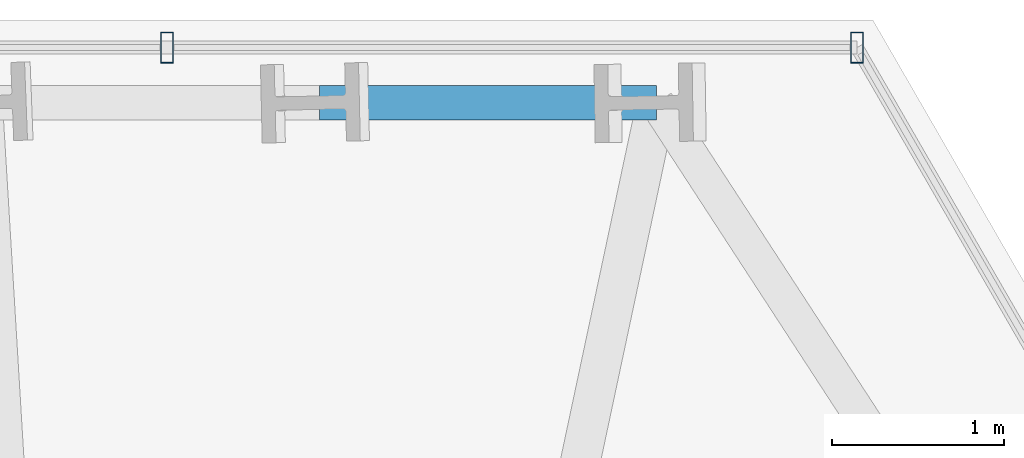
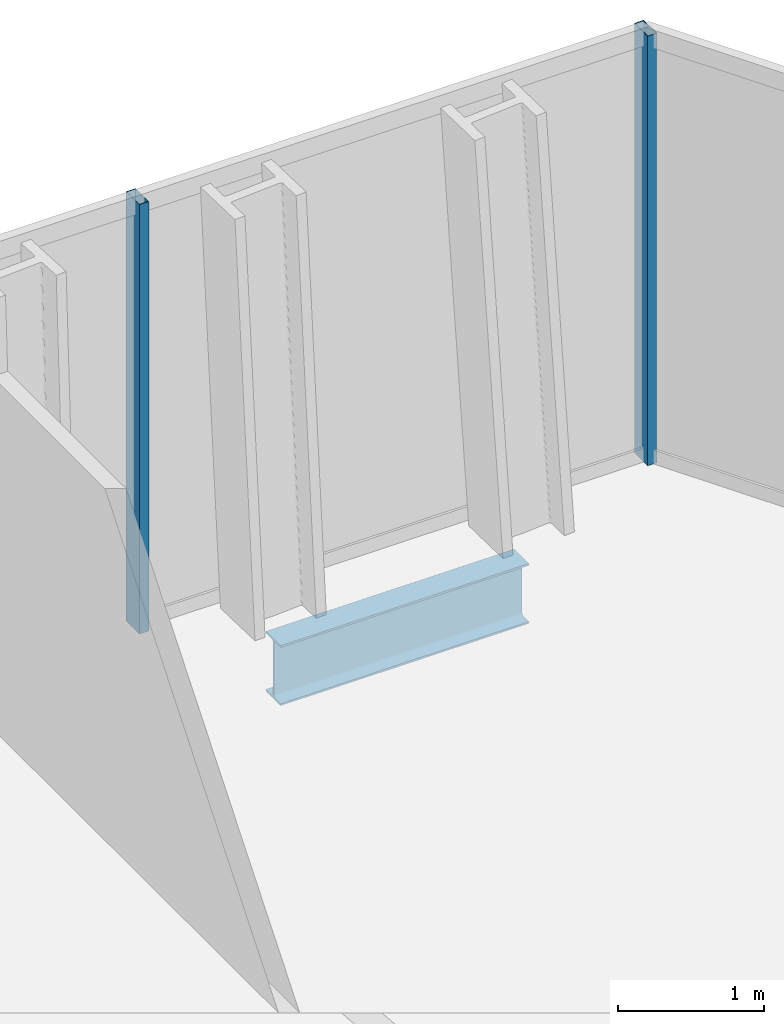
# One storey, part 24 of 32: 2 members, 1 beam, 1 element without a shape of its own.
"""IFC4 building model written with IfcOpenShell, lengths in metres."""

from ifc_helpers import new_model, si_unit, direction, frame, origin, origin_2d, place, context, subcontext, project, spatial, hollow_rectangle, i_section, extrude, material, layer, layer_set, material_profile, profile_set, type_object, element, aggregate, save


model = new_model("IFC4")

# Units and contexts
model_context = context("Model", 3, precision=1e-05, world=origin(), true_north=direction((0.0, 1.0)))
body_context = subcontext(model_context, "Body", "Model", "MODEL_VIEW")
ifc_project = project(units=[si_unit("LENGTHUNIT", "METRE"), si_unit("AREAUNIT", "SQUARE_METRE"), si_unit("VOLUMEUNIT", "CUBIC_METRE"), si_unit("PLANEANGLEUNIT", "RADIAN"), si_unit("MASSUNIT", "GRAM", prefix="KILO")], contexts=[model_context])

# Site, building, storey
site_placement = place(None, origin())
site = spatial("IfcSite", under=ifc_project, at=site_placement, CompositionType="ELEMENT")
building_placement = place(site_placement, origin())
building = spatial("IfcBuilding", under=site, at=building_placement, Name="Ndaravel Arena Tower", CompositionType="ELEMENT")
storey_placement = place(building_placement, frame((0.0, 0.0, 55.0)))
storey = spatial("IfcBuildingStorey", under=building, at=storey_placement, Name="L11", CompositionType="ELEMENT", Elevation=55.0)

# Beam
ifc_material_1 = material(Name="Steel S355", Category="steel")
ifc_material_profile_1 = material_profile(ifc_material_1, i_section(OverallWidth=0.199951171875, OverallDepth=0.5, WebThickness=0.01025390625, FlangeThickness=0.01611328125, FilletRadius=0.02099609375, at=origin_2d()), Name="IPE 500")
ifc_profile_set_1 = profile_set([ifc_material_profile_1], Name="Steel S355")
beam_type = type_object("IfcBeamType", Name="BM-SPAN-IPE500", PredefinedType="SPANDREL", material=ifc_profile_set_1)
beam_placement = place(storey_placement, frame((48.85009765625, 45.531494140625, -0.469970703125), z_axis=(-1.0, 0.0, 0.0), x_axis=(0.0, -1.0, 0.0)))
element("IfcBeam", 1, at=beam_placement, inside=storey, type_object=beam_type, Name="L11 Perimeter Spandrel Beam SP-11", PredefinedType="SPANDREL", context=body_context, shape_type="SweptSolid", body=[
    extrude(i_section(OverallWidth=0.199951171875, OverallDepth=0.5, WebThickness=0.01025390625, FlangeThickness=0.01611328125, FilletRadius=0.02099609375, at=origin_2d()), origin(), (0.0, 0.0, 1.0), 1.957275390625),
])

# Curtain wall, members
ifc_material_2 = material(Name="Aluminium", Category="aluminium")
ifc_layer = layer(ifc_material_2, 0.179931640625)
ifc_layer_set = layer_set([ifc_layer], Name="Aluminium")
curtain_wall_type = type_object("IfcCurtainWallType", Name="CW-SYS-01", PredefinedType="NOTDEFINED", material=ifc_layer_set)
curtain_wall_placement = place(storey_placement, origin())
curtain_wall = element("IfcCurtainWall", 2, at=curtain_wall_placement, inside=storey, type_object=curtain_wall_type, Name="L11 Faceted Crystal Curtain Wall CW-L11-E04", PredefinedType="NOTDEFINED")
ifc_material_3 = material(Name="Aluminium", Category="aluminium")
ifc_material_profile_2 = material_profile(ifc_material_3, hollow_rectangle(XDim=0.074951171875, YDim=0.179931640625, WallThickness=0.00390625, at=origin_2d()), Name="CW MULLION 75x180x4")
ifc_profile_set_2 = profile_set([ifc_material_profile_2], Name="Aluminium")
member_type = type_object("IfcMemberType", Name="MEM-CW-MUL180", PredefinedType="MULLION", material=ifc_profile_set_2)
member_1_placement = place(storey_placement, frame((50.01318359375, 45.851318359375, 0.0), z_axis=(0.0, 0.0, 1.0), x_axis=(-1.0, 0.0, 0.0)))
member_1 = element("IfcMember", 3, at=member_1_placement, type_object=member_type, Name="CW-L11-E04 Mullion 00", PredefinedType="MULLION", context=body_context, shape_type="SweptSolid", body=[
    extrude(hollow_rectangle(XDim=0.074951171875, YDim=0.179931640625, WallThickness=0.00390625, at=origin_2d()), origin(), (0.0, 0.0, 1.0), 3.580078125),
])
member_2_placement = place(storey_placement, frame((46.006591796875, 45.851318359375, 0.0), z_axis=(0.0, 0.0, 1.0), x_axis=(-1.0, 0.0, 0.0)))
member_2 = element("IfcMember", 4, at=member_2_placement, type_object=member_type, Name="CW-L11-E04 Mullion 01", PredefinedType="MULLION", context=body_context, shape_type="SweptSolid", body=[
    extrude(hollow_rectangle(XDim=0.074951171875, YDim=0.179931640625, WallThickness=0.00390625, at=origin_2d()), origin(), (0.0, 0.0, 1.0), 3.580078125),
])
aggregate(curtain_wall, [member_1, member_2])

save(model, "model.ifc")
